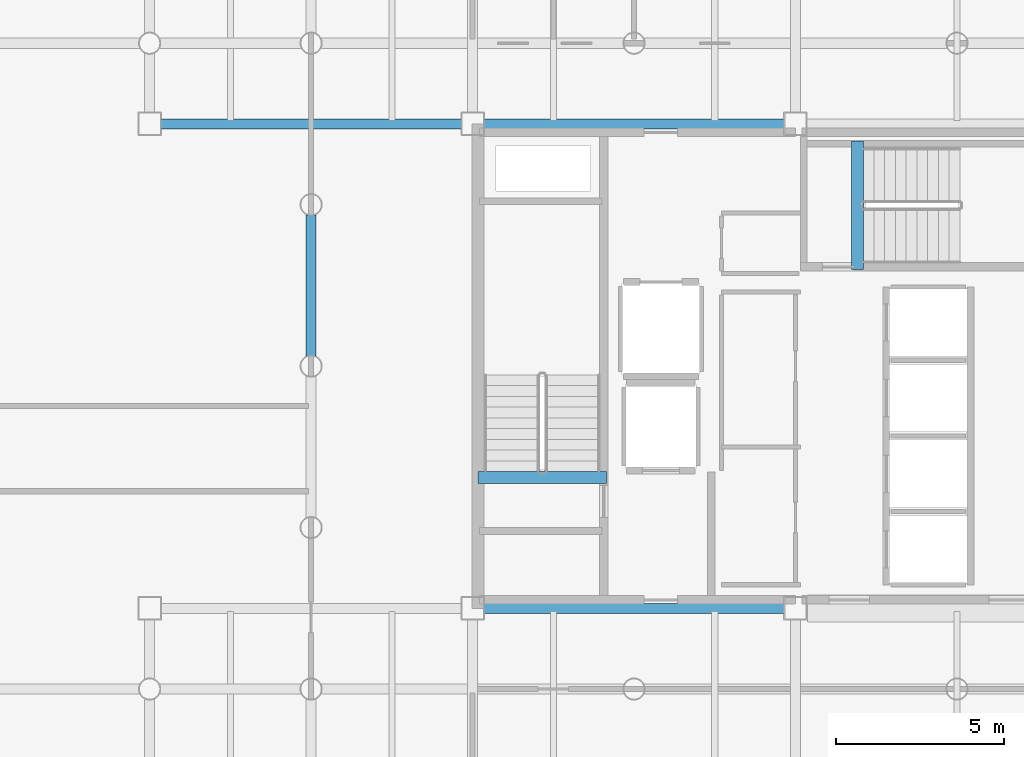
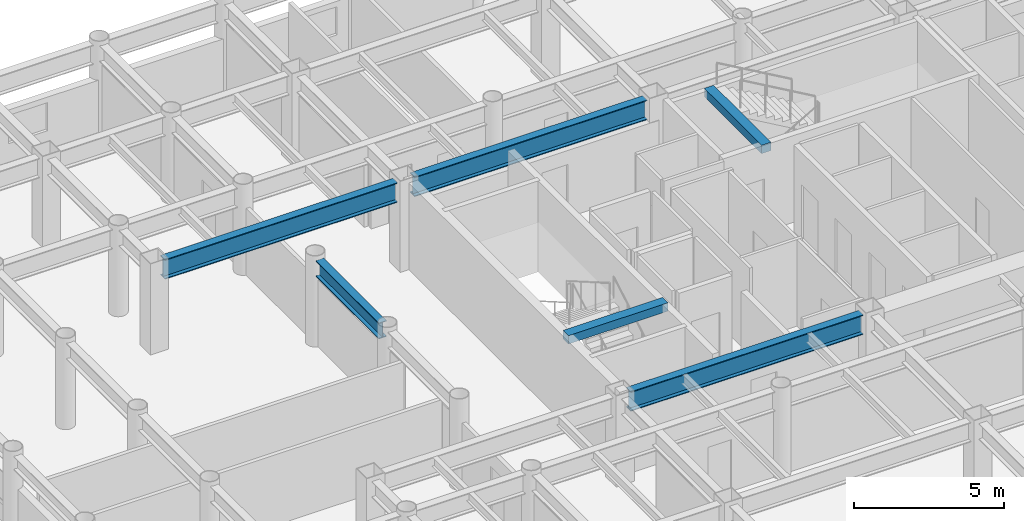
# One storey, part 5 of 19: 6 beams.
"""IFC4 building model written with IfcOpenShell, lengths in metres."""

from ifc_helpers import new_model, si_unit, direction, frame, origin, origin_2d, place, context, subcontext, project, spatial, rectangle, i_section, extrude, material, material_profile, profile_set, type_object, element, save


model = new_model("IFC4")

# Units and contexts
model_context = context("Model", 3, precision=1e-05, world=origin(), true_north=direction((0.0, 1.0)))
body_context = subcontext(model_context, "Body", "Model", "MODEL_VIEW")
ifc_project = project(units=[si_unit("LENGTHUNIT", "METRE"), si_unit("AREAUNIT", "SQUARE_METRE"), si_unit("VOLUMEUNIT", "CUBIC_METRE"), si_unit("PLANEANGLEUNIT", "RADIAN"), si_unit("MASSUNIT", "GRAM", prefix="KILO")], contexts=[model_context])

# Site, building, storey
site_placement = place(None, origin())
site = spatial("IfcSite", under=ifc_project, at=site_placement, CompositionType="ELEMENT")
building_placement = place(site_placement, origin())
building = spatial("IfcBuilding", under=site, at=building_placement, Name="Kallvorn Hotel Tower", CompositionType="ELEMENT")
storey_placement = place(building_placement, frame((0.0, 0.0, 169.199951171875)))
storey = spatial("IfcBuildingStorey", under=building, at=storey_placement, Name="L42", CompositionType="ELEMENT", Elevation=169.199951171875)

# Beams
ifc_material_1 = material(Name="Structural steel S355JR", Category="steel")
ifc_material_profile_1 = material_profile(ifc_material_1, i_section(OverallWidth=0.300048828125, OverallDepth=0.64990234375, WebThickness=0.01611328125, FlangeThickness=0.031005859375, at=origin_2d()), Name="HE 650 B")
ifc_profile_set_1 = profile_set([ifc_material_profile_1], Name="Structural steel S355JR")
beam_type_1 = type_object("IfcBeamType", Name="BM_HE650B", PredefinedType="BEAM", material=ifc_profile_set_1)
beam_1_placement = place(storey_placement, frame((-19.199951171875, 0.304931640625, 3.195068359375), z_axis=(0.0, 1.0, 0.0), x_axis=(-1.0, 0.0, 0.0)))
element("IfcBeam", 1, at=beam_1_placement, inside=storey, type_object=beam_type_1, Name="L43 Primary Y-Girder 94", PredefinedType="BEAM", context=body_context, shape_type="SweptSolid", body=[
    extrude(i_section(OverallWidth=0.300048828125, OverallDepth=0.64990234375, WebThickness=0.01611328125, FlangeThickness=0.031005859375, at=origin_2d()), origin(), (0.0, 0.0, 1.0), 4.190185546875),
])
ifc_material_2 = material(Name="Structural steel S355JR", Category="steel")
ifc_material_profile_2 = material_profile(ifc_material_2, i_section(OverallWidth=0.300048828125, OverallDepth=0.800048828125, WebThickness=0.017578125, FlangeThickness=0.032958984375, at=origin_2d()), Name="HE 800 B")
ifc_profile_set_2 = profile_set([ifc_material_profile_2], Name="Structural steel S355JR")
beam_type_2 = type_object("IfcBeamType", Name="BM_HE800B", PredefinedType="BEAM", material=ifc_profile_set_2)
for number, where, z_axis, x_axis, name in (
    (2, (-14.074951171875, -7.199951171875, 3.1201171875), (1.0, 0.0, 0.0), (0.0, 1.0, 0.0), "L43 Primary X-Girder 34"),
    (3, (-23.675048828125, 7.199951171875, 3.1201171875), (1.0, 0.0, 0.0), (0.0, 1.0, 0.0), "L43 Primary X-Girder 37"),
    (4, (-14.074951171875, 7.199951171875, 3.1201171875), (1.0, 0.0, 0.0), (0.0, 1.0, 0.0), "L43 Primary X-Girder 38"),
):
    element("IfcBeam", number, at=place(storey_placement, frame(where, z_axis=z_axis, x_axis=x_axis)), inside=storey, type_object=beam_type_2, Name=name, PredefinedType="BEAM", context=body_context, shape_type="SweptSolid", body=[
        extrude(i_section(OverallWidth=0.300048828125, OverallDepth=0.800048828125, WebThickness=0.017578125, FlangeThickness=0.032958984375, at=origin_2d()), origin(), (0.0, 0.0, 1.0), 8.949951171875),
    ])
ifc_material_3 = material(Name="Concrete C50/60", Category="concrete")
ifc_material_profile_3 = material_profile(ifc_material_3, rectangle(XDim=0.360107421875, YDim=0.340087890625, at=origin_2d()), Name="RC 360x340")
ifc_profile_set_3 = profile_set([ifc_material_profile_3], Name="Concrete C50/60")
beam_type_3 = type_object("IfcBeamType", Name="BM_RC_400x360", PredefinedType="BEAM", material=ifc_profile_set_3)
beam_2_placement = place(storey_placement, frame((-10.419921875, -3.31005859375, 3.35009765625), z_axis=(-1.0, 0.0, 0.0), x_axis=(0.0, -1.0, 0.0)))
element("IfcBeam", 5, at=beam_2_placement, inside=storey, type_object=beam_type_3, Name="L43 Stair ST1 Arrival Trimmer Beam", PredefinedType="BEAM", context=body_context, shape_type="SweptSolid", body=[
    extrude(rectangle(XDim=0.360107421875, YDim=0.340087890625, at=origin_2d()), origin(), (0.0, 0.0, 1.0), 3.820068359375),
])
beam_3_placement = place(storey_placement, frame((-2.9599609375, 2.8701171875, 3.35009765625), z_axis=(0.0, 1.0, 0.0), x_axis=(-1.0, 0.0, 0.0)))
element("IfcBeam", 6, at=beam_3_placement, inside=storey, type_object=beam_type_3, Name="L43 Stair ST3 Arrival Trimmer Beam", PredefinedType="BEAM", context=body_context, shape_type="SweptSolid", body=[
    extrude(rectangle(XDim=0.360107421875, YDim=0.340087890625, at=origin_2d()), origin(), (0.0, 0.0, 1.0), 3.81982421875),
])

save(model, "model.ifc")
